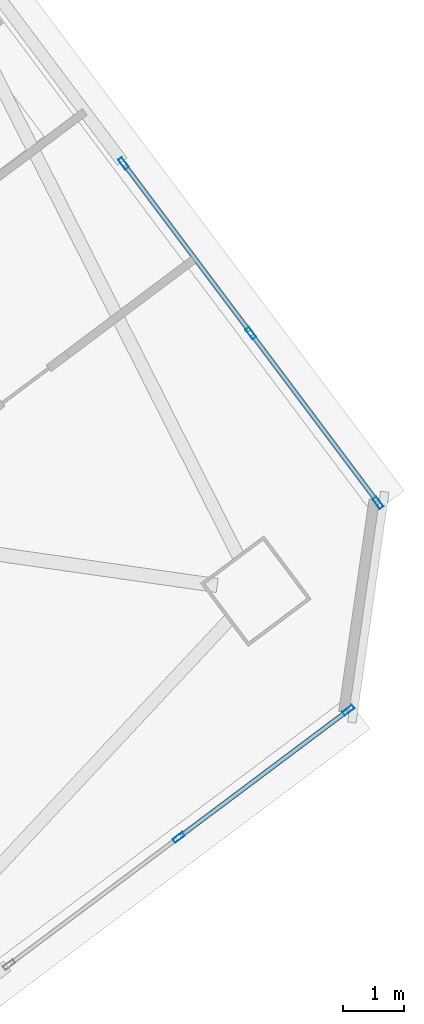
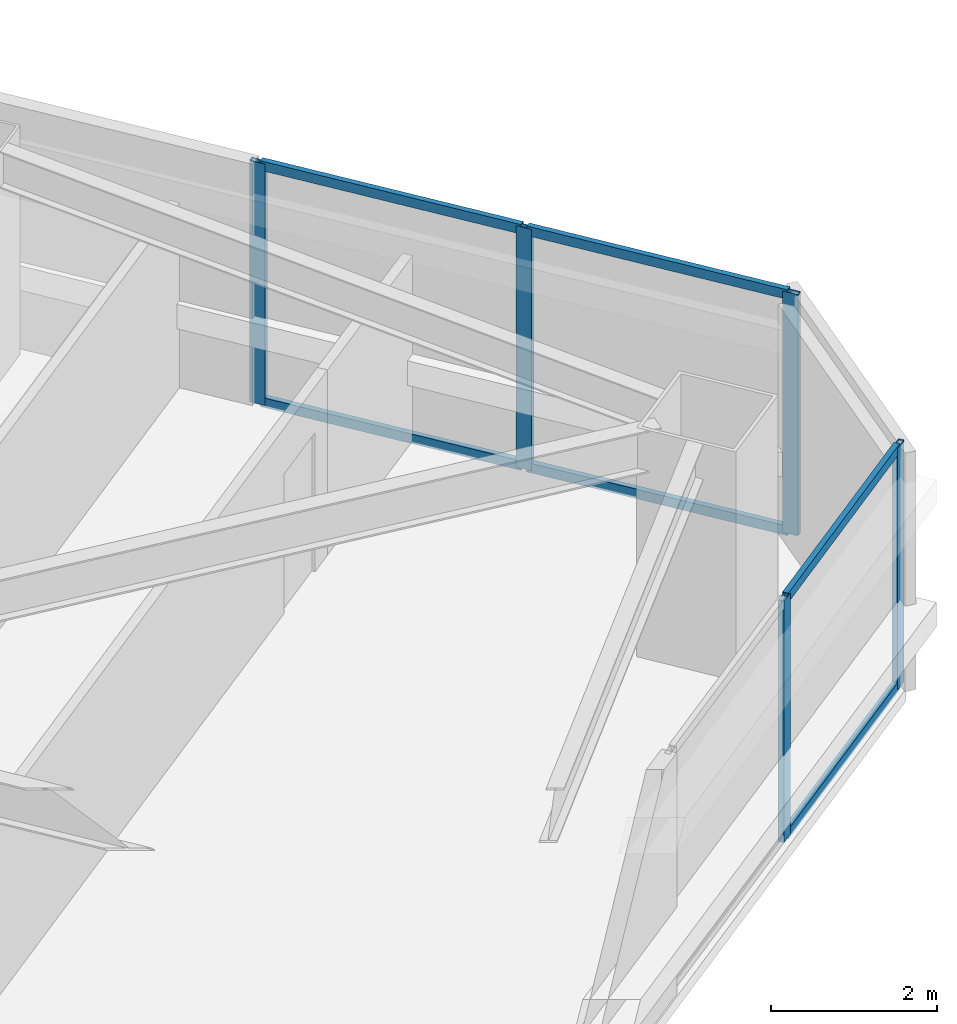
# One storey, part 28 of 48: 11 members, 2 elements without a shape of their own.
"""IFC4 building model written with IfcOpenShell, lengths in metres."""

from ifc_helpers import new_model, si_unit, direction, frame, origin, origin_2d, place, context, subcontext, project, spatial, hollow_rectangle, extrude, material, material_profile, profile_set, type_object, element, aggregate, save


model = new_model("IFC4")

# Units and contexts
model_context = context("Model", 3, precision=1e-05, world=origin(), true_north=direction((0.0, 1.0)))
body_context = subcontext(model_context, "Body", "Model", "MODEL_VIEW")
ifc_project = project(units=[si_unit("LENGTHUNIT", "METRE"), si_unit("AREAUNIT", "SQUARE_METRE"), si_unit("VOLUMEUNIT", "CUBIC_METRE"), si_unit("PLANEANGLEUNIT", "RADIAN"), si_unit("MASSUNIT", "GRAM", prefix="KILO")], contexts=[model_context])

# Site, building, storey
site_placement = place(None, origin())
site = spatial("IfcSite", under=ifc_project, at=site_placement, CompositionType="ELEMENT")
building_placement = place(site_placement, origin())
building = spatial("IfcBuilding", under=site, at=building_placement, Name="Tashvorn Skyway Center", CompositionType="ELEMENT")
storey_placement = place(building_placement, frame((0.0, 0.0, 125.050048828125)))
storey = spatial("IfcBuildingStorey", under=building, at=storey_placement, Name="L33", CompositionType="ELEMENT", Elevation=125.050048828125)

# Curtain wall, members
ifc_material = material(Name="Thermally broken bronze-anodized aluminium 6063-T6", Category="aluminium")
curtain_wall_type = type_object("IfcCurtainWallType", Name="CW-CW-Z3", PredefinedType="NOTDEFINED", material=ifc_material)
curtain_wall_1_placement = place(storey_placement, origin())
curtain_wall_1 = element("IfcCurtainWall", 1, at=curtain_wall_1_placement, inside=storey, type_object=curtain_wall_type, Name="Tower 2 L33 South Unitised Curtain Wall Glazing Group 1", PredefinedType="NOTDEFINED")
ifc_material_profile_1 = material_profile(ifc_material, hollow_rectangle(XDim=0.074951171875, YDim=0.199951171875, WallThickness=0.00439453125, at=origin_2d()), Name="ALU-MULL-75x200")
ifc_profile_set_1 = profile_set([ifc_material_profile_1], Name="Thermally broken bronze-anodized aluminium 6063-T6")
member_type_1 = type_object("IfcMemberType", Name="CWM-CW-Z3", PredefinedType="MULLION", material=ifc_profile_set_1)
member_1_placement = place(storey_placement, frame((137.64208984375, 26.881591796875, 0.0), z_axis=(0.0, 0.0, 1.0), x_axis=(0.600004533995, -0.799996599484, 0.0)))
member_1 = element("IfcMember", 2, at=member_1_placement, type_object=member_type_1, Name="CW-Z3 mullion 1", PredefinedType="MULLION", context=body_context, shape_type="SweptSolid", body=[
    extrude(hollow_rectangle(XDim=0.074951171875, YDim=0.199951171875, WallThickness=0.00439453125, at=origin_2d()), origin(), (0.0, 0.0, 1.0), 3.550048828125),
])
member_2_placement = place(storey_placement, frame((134.848876953125, 24.78662109375, 0.0), z_axis=(0.0, 0.0, 1.0), x_axis=(0.600004533995, -0.799996599484, 0.0)))
member_2 = element("IfcMember", 3, at=member_2_placement, type_object=member_type_1, Name="CW-Z3 mullion 2", PredefinedType="MULLION", context=body_context, shape_type="SweptSolid", body=[
    extrude(hollow_rectangle(XDim=0.074951171875, YDim=0.199951171875, WallThickness=0.00439453125, at=origin_2d()), origin(), (0.0, 0.0, 1.0), 3.550048828125),
])

curtain_wall_2_placement = place(storey_placement, origin())
curtain_wall_2 = element("IfcCurtainWall", 4, at=curtain_wall_2_placement, inside=storey, type_object=curtain_wall_type, Name="Tower 2 L33 East Unitised Curtain Wall Glazing Group 3", PredefinedType="NOTDEFINED")
member_3_placement = place(storey_placement, frame((133.939697265625, 35.880126953125, 0.0), z_axis=(0.0, 0.0, 1.0), x_axis=(0.799996599484, 0.600004533995, 0.0)))
member_3 = element("IfcMember", 5, at=member_3_placement, type_object=member_type_1, Name="CW-Z3 mullion 1", PredefinedType="MULLION", context=body_context, shape_type="SweptSolid", body=[
    extrude(hollow_rectangle(XDim=0.074951171875, YDim=0.199951171875, WallThickness=0.00439453125, at=origin_2d()), origin(), (0.0, 0.0, 1.0), 3.550048828125),
])
member_4_placement = place(storey_placement, frame((136.03466796875, 33.087158203125, 0.0), z_axis=(0.0, 0.0, 1.0), x_axis=(0.799996599484, 0.600004533995, 0.0)))
member_4 = element("IfcMember", 6, at=member_4_placement, type_object=member_type_1, Name="CW-Z3 mullion 2", PredefinedType="MULLION", context=body_context, shape_type="SweptSolid", body=[
    extrude(hollow_rectangle(XDim=0.074951171875, YDim=0.199951171875, WallThickness=0.00439453125, at=origin_2d()), origin(), (0.0, 0.0, 1.0), 3.550048828125),
])
member_5_placement = place(storey_placement, frame((138.12939453125, 30.2939453125, 0.0), z_axis=(0.0, 0.0, 1.0), x_axis=(0.799996599484, 0.600004533995, 0.0)))
member_5 = element("IfcMember", 7, at=member_5_placement, type_object=member_type_1, Name="CW-Z3 mullion 3", PredefinedType="MULLION", context=body_context, shape_type="SweptSolid", body=[
    extrude(hollow_rectangle(XDim=0.074951171875, YDim=0.199951171875, WallThickness=0.00439453125, at=origin_2d()), origin(), (0.0, 0.0, 1.0), 3.550048828125),
])

# Member
ifc_material_profile_2 = material_profile(ifc_material, hollow_rectangle(XDim=0.074951171875, YDim=0.139892578125, WallThickness=0.004150390625, at=origin_2d()), Name="ALU-TRAN-75x140")
ifc_profile_set_2 = profile_set([ifc_material_profile_2], Name="Thermally broken bronze-anodized aluminium 6063-T6")
member_type_2 = type_object("IfcMemberType", Name="CWT-CW-Z3", PredefinedType="USERDEFINED", material=ifc_profile_set_2)
member_6_placement = place(storey_placement, frame((137.612060546875, 26.85888671875, 0.037353515625), z_axis=(-0.800008575267, -0.59998856614, 0.0), x_axis=(0.59998856614, -0.800008575267, 0.0)))
member_6 = element("IfcMember", 8, at=member_6_placement, type_object=member_type_2, Name="CW-Z3 transom 1.1", ObjectType="TRANSOM", PredefinedType="USERDEFINED", context=body_context, shape_type="SweptSolid", body=[
    extrude(hollow_rectangle(XDim=0.074951171875, YDim=0.139892578125, WallThickness=0.004150390625, at=origin_2d()), origin(), (0.0, 0.0, 1.0), 3.41650390625),
])

member_7_placement = place(storey_placement, frame((137.612060546875, 26.85888671875, 3.512451171875), z_axis=(-0.800008575267, -0.59998856614, 0.0), x_axis=(0.59998856614, -0.800008575267, 0.0)))
member_7 = element("IfcMember", 9, at=member_7_placement, type_object=member_type_2, Name="CW-Z3 transom 1.2", ObjectType="TRANSOM", PredefinedType="USERDEFINED", context=body_context, shape_type="SweptSolid", body=[
    extrude(hollow_rectangle(XDim=0.074951171875, YDim=0.139892578125, WallThickness=0.004150390625, at=origin_2d()), origin(), (0.0, 0.0, 1.0), 3.41650390625),
])

aggregate(curtain_wall_1, [member_1, member_2, member_6, member_7])

member_8_placement = place(storey_placement, frame((133.96240234375, 35.85009765625, 0.037353515625), z_axis=(0.600022868659, -0.799982847995, 0.0), x_axis=(0.799982847995, 0.600022868659, 0.0)))
member_8 = element("IfcMember", 10, at=member_8_placement, type_object=member_type_2, Name="CW-Z3 transom 1.1", ObjectType="TRANSOM", PredefinedType="USERDEFINED", context=body_context, shape_type="SweptSolid", body=[
    extrude(hollow_rectangle(XDim=0.074951171875, YDim=0.139892578125, WallThickness=0.004150390625, at=origin_2d()), origin(), (0.0, 0.0, 1.0), 3.416259765625),
])

member_9_placement = place(storey_placement, frame((133.96240234375, 35.85009765625, 3.512451171875), z_axis=(0.600022868659, -0.799982847995, 0.0), x_axis=(0.799982847995, 0.600022868659, 0.0)))
member_9 = element("IfcMember", 11, at=member_9_placement, type_object=member_type_2, Name="CW-Z3 transom 1.2", ObjectType="TRANSOM", PredefinedType="USERDEFINED", context=body_context, shape_type="SweptSolid", body=[
    extrude(hollow_rectangle(XDim=0.074951171875, YDim=0.139892578125, WallThickness=0.004150390625, at=origin_2d()), origin(), (0.0, 0.0, 1.0), 3.416259765625),
])

member_10_placement = place(storey_placement, frame((136.05712890625, 33.05712890625, 0.037353515625), z_axis=(0.59998856614, -0.800008575267, 0.0), x_axis=(0.800008575267, 0.59998856614, 0.0)))
member_10 = element("IfcMember", 12, at=member_10_placement, type_object=member_type_2, Name="CW-Z3 transom 2.1", ObjectType="TRANSOM", PredefinedType="USERDEFINED", context=body_context, shape_type="SweptSolid", body=[
    extrude(hollow_rectangle(XDim=0.074951171875, YDim=0.139892578125, WallThickness=0.004150390625, at=origin_2d()), origin(), (0.0, 0.0, 1.0), 3.41650390625),
])

member_11_placement = place(storey_placement, frame((136.05712890625, 33.05712890625, 3.512451171875), z_axis=(0.59998856614, -0.800008575267, 0.0), x_axis=(0.800008575267, 0.59998856614, 0.0)))
member_11 = element("IfcMember", 13, at=member_11_placement, type_object=member_type_2, Name="CW-Z3 transom 2.2", ObjectType="TRANSOM", PredefinedType="USERDEFINED", context=body_context, shape_type="SweptSolid", body=[
    extrude(hollow_rectangle(XDim=0.074951171875, YDim=0.139892578125, WallThickness=0.004150390625, at=origin_2d()), origin(), (0.0, 0.0, 1.0), 3.41650390625),
])

aggregate(curtain_wall_2, [member_3, member_4, member_5, member_8, member_9, member_10, member_11])

save(model, "model.ifc")
